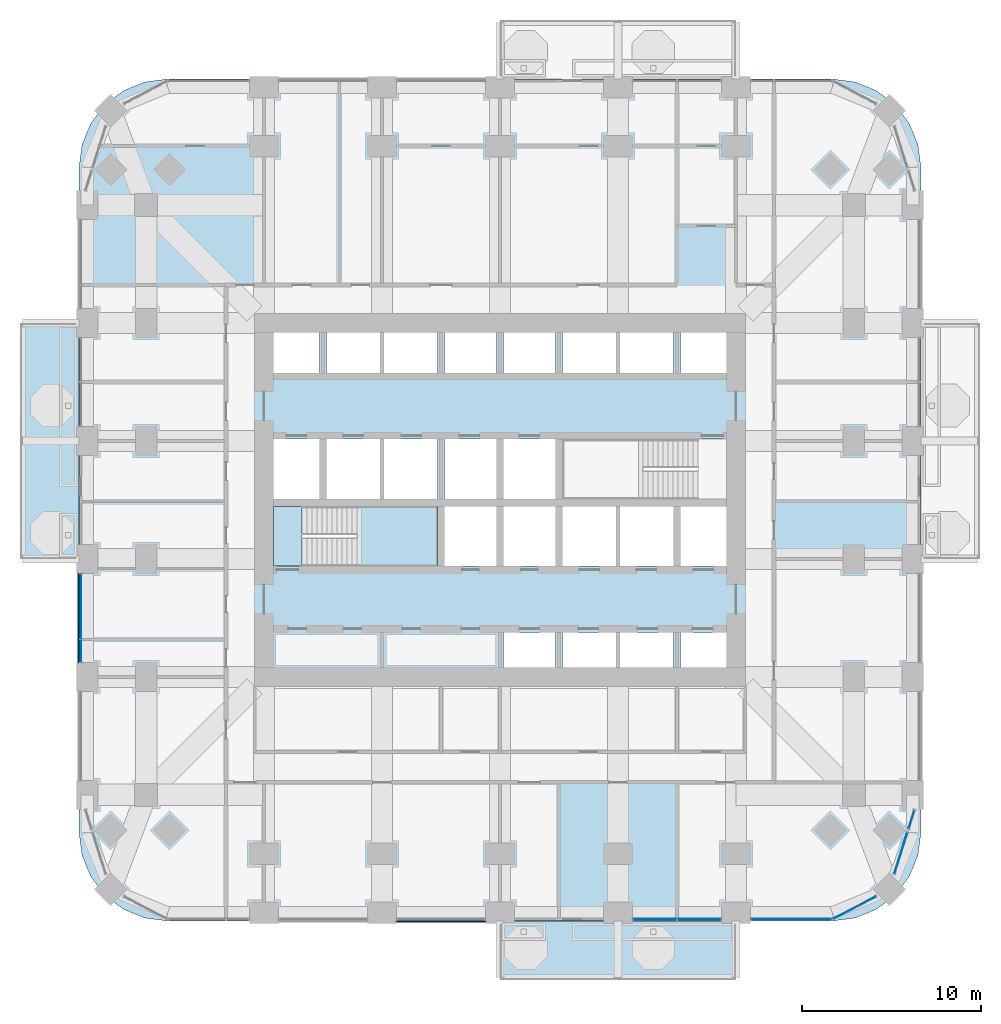
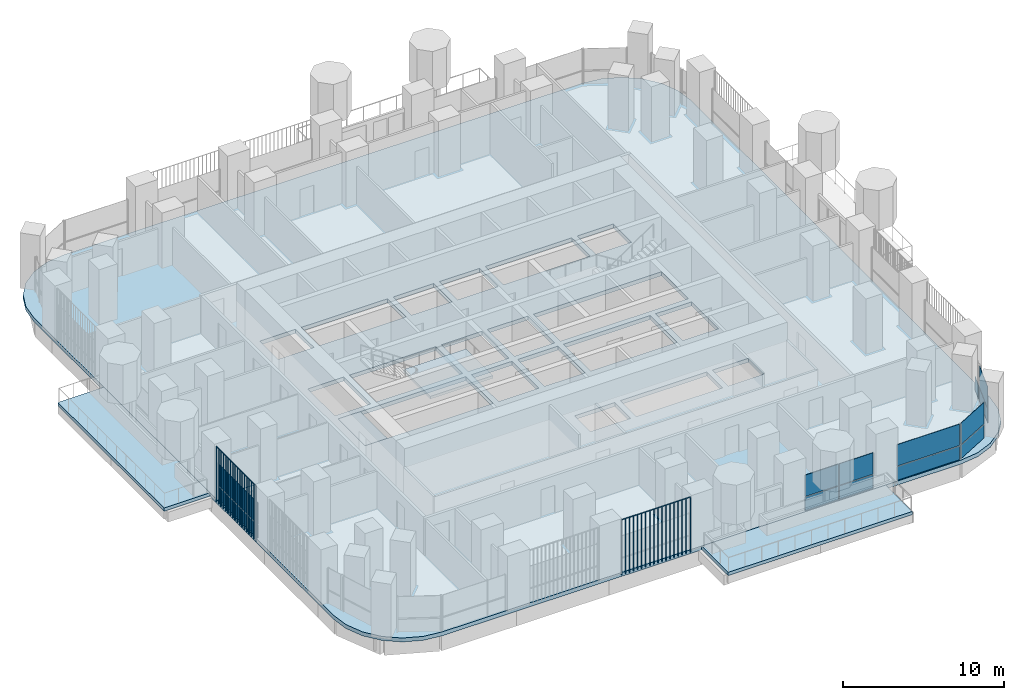
# One storey, part 10 of 23: 17 plates, 5 slabs, 7 elements without a shape of their own.
"""IFC4 building model written with IfcOpenShell, lengths in metres."""

from ifc_helpers import new_model, si_unit, direction, frame, origin, origin_2d, place, context, subcontext, project, spatial, polyline, rectangle, outline, extrude, material, layer, layer_set, type_object, element, aggregate, save


model = new_model("IFC4")

# Units and contexts
model_context = context("Model", 3, precision=1e-05, world=origin(), true_north=direction((0.0, 1.0)))
body_context = subcontext(model_context, "Body", "Model", "MODEL_VIEW")
ifc_project = project(units=[si_unit("LENGTHUNIT", "METRE"), si_unit("AREAUNIT", "SQUARE_METRE"), si_unit("VOLUMEUNIT", "CUBIC_METRE"), si_unit("PLANEANGLEUNIT", "RADIAN"), si_unit("MASSUNIT", "GRAM", prefix="KILO")], contexts=[model_context])

# Site, building, storey
site_placement = place(None, origin())
site = spatial("IfcSite", under=ifc_project, at=site_placement, CompositionType="ELEMENT")
building_placement = place(site_placement, origin())
building = spatial("IfcBuilding", under=site, at=building_placement, Name="Cobogo Forest Laboratory Tower", CompositionType="ELEMENT")
storey_placement = place(building_placement, frame((0.0, 0.0, 103.199951171875)))
storey = spatial("IfcBuildingStorey", under=building, at=storey_placement, Name="L23", CompositionType="ELEMENT", Elevation=103.199951171875)

# Slabs
ifc_material_1 = material(Name="Concrete HA-40 (C40/50)", Category="concrete")
ifc_layer_1 = layer(ifc_material_1, 0.25)
ifc_layer_set_1 = layer_set([ifc_layer_1], Name="Balcony slab 250")
slab_type_1 = type_object("IfcSlabType", Name="Balcony slab 250", PredefinedType="FLOOR", material=ifc_layer_set_1)
slab_1_placement = place(storey_placement, frame((0.0, 0.0, -0.25)))
element("IfcSlab", 1, at=slab_1_placement, inside=storey, type_object=slab_type_1, Name="Balcony BAL-S1 L23", PredefinedType="FLOOR", context=body_context, shape_type="SweptSolid", body=[
    extrude(outline(polyline([(26.39990234375, -3.75), (39.60009765625, -3.75), (39.60009765625, -0.449951171875), (26.39990234375, -0.449951171875), (26.39990234375, -3.75)])), origin(), (0.0, 0.0, 1.0), 0.25),
])
slab_2_placement = place(storey_placement, frame((0.0, 0.0, -0.25)))
element("IfcSlab", 2, at=slab_2_placement, inside=storey, type_object=slab_type_1, Name="Balcony BAL-W1 L23", PredefinedType="FLOOR", context=body_context, shape_type="SweptSolid", body=[
    extrude(outline(polyline([(-0.449951171875, 19.800048828125), (2.85009765625, 19.800048828125), (2.85009765625, 33.0), (-0.449951171875, 33.0), (-0.449951171875, 19.800048828125)])), origin(), (0.0, 0.0, 1.0), 0.25),
])
ifc_layer_2 = layer(ifc_material_1, 0.300048828125)
ifc_layer_set_2 = layer_set([ifc_layer_2], Name="Floor slab 300")
slab_type_2 = type_object("IfcSlabType", Name="Floor slab 300", PredefinedType="FLOOR", material=ifc_layer_set_2)
slab_3_placement = place(storey_placement, frame((0.0, 0.0, -0.300048828125)))
element("IfcSlab", 3, at=slab_3_placement, inside=storey, type_object=slab_type_2, Name="L23 floor slab", PredefinedType="FLOOR", context=body_context, shape_type="SweptSolid", body=[
    extrude(outline(polyline([(45.0, -0.449951171875), (46.28125, -0.28125), (47.47509765625, 0.213134765625), (48.500244140625, 0.999755859375), (49.286865234375, 2.02490234375), (49.78125, 3.21875), (49.949951171875, 4.5), (49.949951171875, 41.699951171875), (49.78125, 42.981201171875), (49.286865234375, 44.175048828125), (48.500244140625, 45.2001953125), (47.47509765625, 45.98681640625), (46.28125, 46.4814453125), (45.0, 46.64990234375), (7.800048828125, 46.64990234375), (6.518798828125, 46.4814453125), (5.324951171875, 45.98681640625), (4.2998046875, 45.2001953125), (3.51318359375, 44.175048828125), (3.0185546875, 42.981201171875), (2.85009765625, 41.699951171875), (2.85009765625, 4.5), (3.0185546875, 3.21875), (3.51318359375, 2.02490234375), (4.2998046875, 0.999755859375), (5.324951171875, 0.213134765625), (6.518798828125, -0.28125), (7.800048828125, -0.449951171875), (45.0, -0.449951171875)]), holes=[polyline([(29.5, 13.72509765625), (26.60009765625, 13.72509765625), (26.60009765625, 15.699951171875), (29.5, 15.699951171875), (29.5, 13.72509765625)]), polyline([(36.10009765625, 15.699951171875), (36.10009765625, 13.72509765625), (29.89990234375, 13.72509765625), (29.89990234375, 15.699951171875), (36.10009765625, 15.699951171875)]), polyline([(36.5, 13.72509765625), (36.5, 15.699951171875), (39.074951171875, 15.699951171875), (39.074951171875, 13.72509765625), (36.5, 13.72509765625)]), polyline([(13.72509765625, 19.39990234375), (13.72509765625, 22.75), (22.89990234375, 22.75), (22.89990234375, 19.39990234375), (13.72509765625, 19.39990234375)]), polyline([(23.300048828125, 19.39990234375), (23.300048828125, 22.75), (26.199951171875, 22.75), (26.199951171875, 19.39990234375), (23.300048828125, 19.39990234375)]), polyline([(29.5, 19.39990234375), (26.60009765625, 19.39990234375), (26.60009765625, 22.75), (29.5, 22.75), (29.5, 19.39990234375)]), polyline([(36.10009765625, 22.75), (36.10009765625, 19.39990234375), (29.89990234375, 19.39990234375), (29.89990234375, 22.75), (36.10009765625, 22.75)]), polyline([(39.074951171875, 19.39990234375), (36.5, 19.39990234375), (36.5, 22.75), (39.074951171875, 22.75), (39.074951171875, 19.39990234375)]), polyline([(16.300048828125, 23.14990234375), (13.72509765625, 23.14990234375), (13.72509765625, 26.5), (16.300048828125, 26.5), (16.300048828125, 23.14990234375)]), polyline([(22.89990234375, 26.5), (22.89990234375, 23.14990234375), (16.699951171875, 23.14990234375), (16.699951171875, 26.5), (22.89990234375, 26.5)]), polyline([(26.199951171875, 23.14990234375), (23.300048828125, 23.14990234375), (23.300048828125, 26.5), (26.199951171875, 26.5), (26.199951171875, 23.14990234375)]), polyline([(26.60009765625, 23.14990234375), (26.60009765625, 26.5), (29.5, 26.5), (29.5, 23.14990234375), (26.60009765625, 23.14990234375)]), polyline([(29.89990234375, 23.14990234375), (29.89990234375, 26.5), (39.074951171875, 26.5), (39.074951171875, 23.14990234375), (29.89990234375, 23.14990234375)]), polyline([(13.72509765625, 30.199951171875), (13.72509765625, 32.47509765625), (16.300048828125, 32.47509765625), (16.300048828125, 30.199951171875), (13.72509765625, 30.199951171875)]), polyline([(22.89990234375, 32.47509765625), (22.89990234375, 30.199951171875), (16.699951171875, 30.199951171875), (16.699951171875, 32.47509765625), (22.89990234375, 32.47509765625)]), polyline([(23.300048828125, 30.199951171875), (23.300048828125, 32.47509765625), (26.199951171875, 32.47509765625), (26.199951171875, 30.199951171875), (23.300048828125, 30.199951171875)]), polyline([(26.60009765625, 30.199951171875), (26.60009765625, 32.47509765625), (29.5, 32.47509765625), (29.5, 30.199951171875), (26.60009765625, 30.199951171875)]), polyline([(36.10009765625, 32.47509765625), (36.10009765625, 30.199951171875), (29.89990234375, 30.199951171875), (29.89990234375, 32.47509765625), (36.10009765625, 32.47509765625)]), polyline([(36.5, 30.199951171875), (36.5, 32.47509765625), (39.074951171875, 32.47509765625), (39.074951171875, 30.199951171875), (36.5, 30.199951171875)])]), origin(), (0.0, 0.0, 1.0), 0.300048828125),
])

# Curtain wall, plates
ifc_material_2 = material(Name="Aluminium curtain wall", Category="aluminium")
curtain_wall_type = type_object("IfcCurtainWallType", Name="CW-1 unitised curtain wall, clear glazing, laboratory floors zones A and B", PredefinedType="USERDEFINED", material=ifc_material_2)
curtain_wall_1_placement = place(storey_placement, origin())
curtain_wall_1 = element("IfcCurtainWall", 4, at=curtain_wall_1_placement, inside=storey, type_object=curtain_wall_type, Name="Curtain wall 05 L23", ObjectType="UNITISED CURTAIN WALL", PredefinedType="USERDEFINED")
ifc_material_3 = material(Name="Clear insulated glass", Category="glass")
ifc_layer_3 = layer(ifc_material_3, 0.028076171875)
ifc_layer_set_3 = layer_set([ifc_layer_3], Name="GP-1 clear insulated glass unit 28")
plate_type_1 = type_object("IfcPlateType", Name="GP-1 clear insulated glass unit 28", PredefinedType="CURTAIN_PANEL", material=ifc_layer_set_3)
plate_1_placement = place(storey_placement, frame((35.06494140625, -0.35009765625, 0.0), z_axis=(0.0, 0.0, 1.0), x_axis=(1.0, 0.0, 0.0)))
plate_1 = element("IfcPlate", 5, at=plate_1_placement, type_object=plate_type_1, Name="CW-1 panel 1.1", PredefinedType="CURTAIN_PANEL", context=body_context, shape_type="SweptSolid", body=[
    extrude(rectangle(XDim=2.409912109375, YDim=0.028076171875, at=origin_2d()), origin(), (0.0, 0.0, 1.0), 1.02001953125),
])
plate_2_placement = place(storey_placement, frame((35.06494140625, -0.35009765625, 1.080078125), z_axis=(0.0, 0.0, 1.0), x_axis=(1.0, 0.0, 0.0)))
plate_2 = element("IfcPlate", 6, at=plate_2_placement, type_object=plate_type_1, Name="CW-1 panel 1.2", PredefinedType="CURTAIN_PANEL", context=body_context, shape_type="SweptSolid", body=[
    extrude(rectangle(XDim=2.409912109375, YDim=0.028076171875, at=origin_2d()), origin(), (0.0, 0.0, 1.0), 1.6201171875),
])
plate_3_placement = place(storey_placement, frame((37.534912109375, -0.35009765625, 0.0), z_axis=(0.0, 0.0, 1.0), x_axis=(1.0, 0.0, 0.0)))
plate_3 = element("IfcPlate", 7, at=plate_3_placement, type_object=plate_type_1, Name="CW-1 panel 2.1", PredefinedType="CURTAIN_PANEL", context=body_context, shape_type="SweptSolid", body=[
    extrude(rectangle(XDim=2.409912109375, YDim=0.028076171875, at=origin_2d()), origin(), (0.0, 0.0, 1.0), 1.02001953125),
])
plate_4_placement = place(storey_placement, frame((37.534912109375, -0.35009765625, 1.080078125), z_axis=(0.0, 0.0, 1.0), x_axis=(1.0, 0.0, 0.0)))
plate_4 = element("IfcPlate", 8, at=plate_4_placement, type_object=plate_type_1, Name="CW-1 panel 2.2", PredefinedType="CURTAIN_PANEL", context=body_context, shape_type="SweptSolid", body=[
    extrude(rectangle(XDim=2.409912109375, YDim=0.028076171875, at=origin_2d()), origin(), (0.0, 0.0, 1.0), 1.6201171875),
])
aggregate(curtain_wall_1, [plate_1, plate_2, plate_3, plate_4])

curtain_wall_2_placement = place(storey_placement, origin())
curtain_wall_2 = element("IfcCurtainWall", 9, at=curtain_wall_2_placement, inside=storey, type_object=curtain_wall_type, Name="Curtain wall 06 L23", ObjectType="UNITISED CURTAIN WALL", PredefinedType="USERDEFINED")
plate_5_placement = place(storey_placement, frame((42.699951171875, -0.35009765625, 0.0), z_axis=(0.0, 0.0, 1.0), x_axis=(1.0, 0.0, 0.0)))
plate_5 = element("IfcPlate", 10, at=plate_5_placement, type_object=plate_type_1, Name="CW-1 panel 1.1", PredefinedType="CURTAIN_PANEL", context=body_context, shape_type="SweptSolid", body=[
    extrude(rectangle(XDim=4.47998046875, YDim=0.028076171875, at=origin_2d()), origin(), (0.0, 0.0, 1.0), 1.02001953125),
])
plate_6_placement = place(storey_placement, frame((42.699951171875, -0.35009765625, 1.080078125), z_axis=(0.0, 0.0, 1.0), x_axis=(1.0, 0.0, 0.0)))
plate_6 = element("IfcPlate", 11, at=plate_6_placement, type_object=plate_type_1, Name="CW-1 panel 1.2", PredefinedType="CURTAIN_PANEL", context=body_context, shape_type="SweptSolid", body=[
    extrude(rectangle(XDim=4.47998046875, YDim=0.028076171875, at=origin_2d()), origin(), (0.0, 0.0, 1.0), 1.6201171875),
])
aggregate(curtain_wall_2, [plate_5, plate_6])

curtain_wall_3_placement = place(storey_placement, origin())
curtain_wall_3 = element("IfcCurtainWall", 12, at=curtain_wall_3_placement, inside=storey, type_object=curtain_wall_type, Name="Curtain wall 07 L23", ObjectType="UNITISED CURTAIN WALL", PredefinedType="USERDEFINED")
plate_7_placement = place(storey_placement, frame((46.229248046875, 0.29443359375, 0.0), z_axis=(0.0, 0.0, 1.0), x_axis=(0.885686547075, 0.464283685186, 0.0)))
plate_7 = element("IfcPlate", 13, at=plate_7_placement, type_object=plate_type_1, Name="CW-1 panel 1.1", PredefinedType="CURTAIN_PANEL", context=body_context, shape_type="SweptSolid", body=[
    extrude(rectangle(XDim=2.655517578125, YDim=0.028076171875, at=origin_2d()), origin(), (0.0, 0.0, 1.0), 1.02001953125),
])
plate_8_placement = place(storey_placement, frame((46.229248046875, 0.29443359375, 1.080078125), z_axis=(0.0, 0.0, 1.0), x_axis=(0.885686547075, 0.464283685186, 0.0)))
plate_8 = element("IfcPlate", 14, at=plate_8_placement, type_object=plate_type_1, Name="CW-1 panel 1.2", PredefinedType="CURTAIN_PANEL", context=body_context, shape_type="SweptSolid", body=[
    extrude(rectangle(XDim=2.655517578125, YDim=0.028076171875, at=origin_2d()), origin(), (0.0, 0.0, 1.0), 1.6201171875),
])
aggregate(curtain_wall_3, [plate_7, plate_8])

curtain_wall_4_placement = place(storey_placement, origin())
curtain_wall_4 = element("IfcCurtainWall", 15, at=curtain_wall_4_placement, inside=storey, type_object=curtain_wall_type, Name="Curtain wall 08 L23", ObjectType="UNITISED CURTAIN WALL", PredefinedType="USERDEFINED")
plate_9_placement = place(storey_placement, frame((48.8212890625, 3.342529296875, 0.0), z_axis=(0.0, 0.0, 1.0), x_axis=(0.301135291996, 0.953581425949, 0.0)))
plate_9 = element("IfcPlate", 16, at=plate_9_placement, type_object=plate_type_1, Name="CW-1 panel 1.1", PredefinedType="CURTAIN_PANEL", context=body_context, shape_type="SweptSolid", body=[
    extrude(rectangle(XDim=2.3681640625, YDim=0.028076171875, at=origin_2d()), origin(), (0.0, 0.0, 1.0), 1.02001953125),
])
plate_10_placement = place(storey_placement, frame((48.8212890625, 3.342529296875, 1.080078125), z_axis=(0.0, 0.0, 1.0), x_axis=(0.301135291996, 0.953581425949, 0.0)))
plate_10 = element("IfcPlate", 17, at=plate_10_placement, type_object=plate_type_1, Name="CW-1 panel 1.2", PredefinedType="CURTAIN_PANEL", context=body_context, shape_type="SweptSolid", body=[
    extrude(rectangle(XDim=2.3681640625, YDim=0.028076171875, at=origin_2d()), origin(), (0.0, 0.0, 1.0), 1.6201171875),
])
aggregate(curtain_wall_4, [plate_9, plate_10])

# Curtain wall, plate
curtain_wall_5_placement = place(storey_placement, origin())
curtain_wall_5 = element("IfcCurtainWall", 18, at=curtain_wall_5_placement, inside=storey, type_object=curtain_wall_type, Name="Curtain wall 09 L23", ObjectType="UNITISED CURTAIN WALL", PredefinedType="USERDEFINED")
plate_11_placement = place(storey_placement, frame((49.41796875, 5.232177734375, 0.0), z_axis=(0.0, 0.0, 1.0), x_axis=(0.301135667865, 0.953581307252, 0.0)))
plate_11 = element("IfcPlate", 19, at=plate_11_placement, type_object=plate_type_1, Name="CW-1 panel 1.1", PredefinedType="CURTAIN_PANEL", context=body_context, shape_type="SweptSolid", body=[
    extrude(rectangle(XDim=1.071044921875, YDim=0.028076171875, at=origin_2d()), origin(), (0.0, 0.0, 1.0), 1.02001953125),
])
aggregate(curtain_wall_5, [plate_11])

# Curtain wall, plates
curtain_wall_6_placement = place(storey_placement, origin())
curtain_wall_6 = element("IfcCurtainWall", 20, at=curtain_wall_6_placement, inside=storey, type_object=curtain_wall_type, Name="Curtain wall 30 L23", ObjectType="UNITISED CURTAIN WALL", PredefinedType="USERDEFINED")
plate_12_placement = place(storey_placement, frame((2.949951171875, 17.135009765625, 0.0), z_axis=(0.0, 0.0, 1.0), x_axis=(0.0, -1.0, 0.0)))
plate_12 = element("IfcPlate", 21, at=plate_12_placement, type_object=plate_type_1, Name="CW-1 panel 1.1", PredefinedType="CURTAIN_PANEL", context=body_context, shape_type="SweptSolid", body=[
    extrude(rectangle(XDim=3.610107421875, YDim=0.028076171875, at=origin_2d()), origin(), (0.0, 0.0, 1.0), 1.02001953125),
])
plate_13_placement = place(storey_placement, frame((2.949951171875, 17.135009765625, 1.080078125), z_axis=(0.0, 0.0, 1.0), x_axis=(0.0, -1.0, 0.0)))
plate_13 = element("IfcPlate", 22, at=plate_13_placement, type_object=plate_type_1, Name="CW-1 panel 1.2", PredefinedType="CURTAIN_PANEL", context=body_context, shape_type="SweptSolid", body=[
    extrude(rectangle(XDim=3.610107421875, YDim=0.028076171875, at=origin_2d()), origin(), (0.0, 0.0, 1.0), 1.6201171875),
])
plate_14_placement = place(storey_placement, frame((2.949951171875, 14.6650390625, 0.0), z_axis=(0.0, 0.0, 1.0), x_axis=(0.0, -1.0, 0.0)))
plate_14 = element("IfcPlate", 23, at=plate_14_placement, type_object=plate_type_1, Name="CW-1 panel 2.1", PredefinedType="CURTAIN_PANEL", context=body_context, shape_type="SweptSolid", body=[
    extrude(rectangle(XDim=1.2099609375, YDim=0.028076171875, at=origin_2d()), origin(), (0.0, 0.0, 1.0), 1.02001953125),
])
plate_15_placement = place(storey_placement, frame((2.949951171875, 14.6650390625, 1.080078125), z_axis=(0.0, 0.0, 1.0), x_axis=(0.0, -1.0, 0.0)))
plate_15 = element("IfcPlate", 24, at=plate_15_placement, type_object=plate_type_1, Name="CW-1 panel 2.2", PredefinedType="CURTAIN_PANEL", context=body_context, shape_type="SweptSolid", body=[
    extrude(rectangle(XDim=1.2099609375, YDim=0.028076171875, at=origin_2d()), origin(), (0.0, 0.0, 1.0), 1.6201171875),
])
aggregate(curtain_wall_6, [plate_12, plate_13, plate_14, plate_15])

# Stair, slabs
ifc_material_4 = material(Name="Precast concrete HA-40 (C40/50)", Category="concrete")
stair_type = type_object("IfcStairType", Name="ST24 exit stair 24 risers", PredefinedType="HALF_TURN_STAIR", material=ifc_material_4)
stair_placement = place(storey_placement, origin())
stair = element("IfcStair", 25, at=stair_placement, inside=storey, type_object=stair_type, Name="Stair 1 L23 to L24", PredefinedType="HALF_TURN_STAIR")
ifc_layer_4 = layer(ifc_material_1, 0.199951171875)
ifc_layer_set_4 = layer_set([ifc_layer_4], Name="SL stair landing 200")
slab_type_3 = type_object("IfcSlabType", Name="SL stair landing 200", PredefinedType="LANDING", material=ifc_layer_set_4)
slab_4_placement = place(storey_placement, frame((0.0, 0.0, -0.199951171875)))
slab_4 = element("IfcSlab", 26, at=slab_4_placement, type_object=slab_type_3, Name="ST1 landing 1", PredefinedType="LANDING", context=body_context, shape_type="SweptSolid", body=[
    extrude(outline(polyline([(13.72509765625, 19.39990234375), (15.326904296875, 19.39990234375), (15.326904296875, 22.75), (13.72509765625, 22.75), (13.72509765625, 19.39990234375)])), origin(), (0.0, 0.0, 1.0), 0.199951171875),
])
slab_5_placement = place(storey_placement, frame((0.0, 0.0, 1.900146484375)))
slab_5 = element("IfcSlab", 27, at=slab_5_placement, type_object=slab_type_3, Name="ST1 landing 2", PredefinedType="LANDING", context=body_context, shape_type="SweptSolid", body=[
    extrude(outline(polyline([(18.403076171875, 19.39990234375), (22.89990234375, 19.39990234375), (22.89990234375, 22.75), (18.403076171875, 22.75), (18.403076171875, 19.39990234375)])), origin(), (0.0, 0.0, 1.0), 0.199951171875),
])
aggregate(stair, [slab_4, slab_5])

# Plates
ifc_material_5 = material(Name="Terracotta", Category="masonry")
plate_type_2 = type_object("IfcPlateType", Name="TB1 terracotta baguette screen", PredefinedType="USERDEFINED", material=ifc_material_5)
plate_16_placement = place(storey_placement, frame((20.63134765625, -0.477783203125, -0.14990234375)))
element("IfcPlate", 28, at=plate_16_placement, inside=storey, type_object=plate_type_2, Name="Baguette screen S2 L23", ObjectType="BAGUETTE SCREEN", PredefinedType="USERDEFINED", context=body_context, shape_type="SweptSolid", body=[
    extrude(outline(polyline([(0.02880859375, 0.011962890625), (0.011962890625, 0.02880859375), (-0.011962890625, 0.02880859375), (-0.02880859375, 0.011962890625), (-0.02880859375, -0.011962890625), (-0.011962890625, -0.02880859375), (0.011962890625, -0.02880859375), (0.02880859375, -0.011962890625), (0.02880859375, 0.011962890625)])), frame((0.0, 0.0, 4.168701171875), z_axis=(1.0, 0.0, 0.0), x_axis=(0.0, 1.0, 0.0)), (0.0, 0.0, 1.0), 4.9375),
    extrude(outline(polyline([(0.02880859375, 0.011962890625), (0.011962890625, 0.02880859375), (-0.011962890625, 0.02880859375), (-0.02880859375, 0.011962890625), (-0.02880859375, -0.011962890625), (-0.011962890625, -0.02880859375), (0.011962890625, -0.02880859375), (0.02880859375, -0.011962890625), (0.02880859375, 0.011962890625)])), origin(), (0.0, 0.0, 1.0), 4.137451171875),
    extrude(outline(polyline([(0.02880859375, 0.011962890625), (0.011962890625, 0.02880859375), (-0.011962890625, 0.02880859375), (-0.02880859375, 0.011962890625), (-0.02880859375, -0.011962890625), (-0.011962890625, -0.02880859375), (0.011962890625, -0.02880859375), (0.02880859375, -0.011962890625), (0.02880859375, 0.011962890625)])), frame((0.29052734375, 0.0, 0.0)), (0.0, 0.0, 1.0), 4.137451171875),
    extrude(outline(polyline([(0.02880859375, 0.011962890625), (0.011962890625, 0.02880859375), (-0.011962890625, 0.02880859375), (-0.02880859375, 0.011962890625), (-0.02880859375, -0.011962890625), (-0.011962890625, -0.02880859375), (0.011962890625, -0.02880859375), (0.02880859375, -0.011962890625), (0.02880859375, 0.011962890625)])), frame((0.580810546875, 0.0, 0.0)), (0.0, 0.0, 1.0), 4.137451171875),
    extrude(outline(polyline([(0.02880859375, 0.011962890625), (0.011962890625, 0.02880859375), (-0.011962890625, 0.02880859375), (-0.02880859375, 0.011962890625), (-0.02880859375, -0.011962890625), (-0.011962890625, -0.02880859375), (0.011962890625, -0.02880859375), (0.02880859375, -0.011962890625), (0.02880859375, 0.011962890625)])), frame((0.871337890625, 0.0, 0.0)), (0.0, 0.0, 1.0), 4.137451171875),
    extrude(outline(polyline([(0.02880859375, 0.011962890625), (0.011962890625, 0.02880859375), (-0.011962890625, 0.02880859375), (-0.02880859375, 0.011962890625), (-0.02880859375, -0.011962890625), (-0.011962890625, -0.02880859375), (0.011962890625, -0.02880859375), (0.02880859375, -0.011962890625), (0.02880859375, 0.011962890625)])), frame((1.161865234375, 0.0, 0.0)), (0.0, 0.0, 1.0), 4.137451171875),
    extrude(outline(polyline([(0.02880859375, 0.011962890625), (0.011962890625, 0.02880859375), (-0.011962890625, 0.02880859375), (-0.02880859375, 0.011962890625), (-0.02880859375, -0.011962890625), (-0.011962890625, -0.02880859375), (0.011962890625, -0.02880859375), (0.02880859375, -0.011962890625), (0.02880859375, 0.011962890625)])), frame((1.4521484375, 0.0, 0.0)), (0.0, 0.0, 1.0), 4.137451171875),
    extrude(outline(polyline([(0.02880859375, 0.011962890625), (0.011962890625, 0.02880859375), (-0.011962890625, 0.02880859375), (-0.02880859375, 0.011962890625), (-0.02880859375, -0.011962890625), (-0.011962890625, -0.02880859375), (0.011962890625, -0.02880859375), (0.02880859375, -0.011962890625), (0.02880859375, 0.011962890625)])), frame((1.74267578125, 0.0, 0.0)), (0.0, 0.0, 1.0), 4.137451171875),
    extrude(outline(polyline([(0.02880859375, 0.011962890625), (0.011962890625, 0.02880859375), (-0.011962890625, 0.02880859375), (-0.02880859375, 0.011962890625), (-0.02880859375, -0.011962890625), (-0.011962890625, -0.02880859375), (0.011962890625, -0.02880859375), (0.02880859375, -0.011962890625), (0.02880859375, 0.011962890625)])), frame((2.033203125, 0.0, 0.0)), (0.0, 0.0, 1.0), 4.137451171875),
    extrude(outline(polyline([(0.02880859375, 0.011962890625), (0.011962890625, 0.02880859375), (-0.011962890625, 0.02880859375), (-0.02880859375, 0.011962890625), (-0.02880859375, -0.011962890625), (-0.011962890625, -0.02880859375), (0.011962890625, -0.02880859375), (0.02880859375, -0.011962890625), (0.02880859375, 0.011962890625)])), frame((2.323486328125, 0.0, 0.0)), (0.0, 0.0, 1.0), 4.137451171875),
    extrude(outline(polyline([(0.02880859375, 0.011962890625), (0.011962890625, 0.02880859375), (-0.011962890625, 0.02880859375), (-0.02880859375, 0.011962890625), (-0.02880859375, -0.011962890625), (-0.011962890625, -0.02880859375), (0.011962890625, -0.02880859375), (0.02880859375, -0.011962890625), (0.02880859375, 0.011962890625)])), frame((2.614013671875, 0.0, 0.0)), (0.0, 0.0, 1.0), 4.137451171875),
    extrude(outline(polyline([(0.02880859375, 0.011962890625), (0.011962890625, 0.02880859375), (-0.011962890625, 0.02880859375), (-0.02880859375, 0.011962890625), (-0.02880859375, -0.011962890625), (-0.011962890625, -0.02880859375), (0.011962890625, -0.02880859375), (0.02880859375, -0.011962890625), (0.02880859375, 0.011962890625)])), frame((2.904296875, 0.0, 0.0)), (0.0, 0.0, 1.0), 4.137451171875),
    extrude(outline(polyline([(0.02880859375, 0.011962890625), (0.011962890625, 0.02880859375), (-0.011962890625, 0.02880859375), (-0.02880859375, 0.011962890625), (-0.02880859375, -0.011962890625), (-0.011962890625, -0.02880859375), (0.011962890625, -0.02880859375), (0.02880859375, -0.011962890625), (0.02880859375, 0.011962890625)])), frame((3.19482421875, 0.0, 0.0)), (0.0, 0.0, 1.0), 4.137451171875),
    extrude(outline(polyline([(0.02880859375, 0.011962890625), (0.011962890625, 0.02880859375), (-0.011962890625, 0.02880859375), (-0.02880859375, 0.011962890625), (-0.02880859375, -0.011962890625), (-0.011962890625, -0.02880859375), (0.011962890625, -0.02880859375), (0.02880859375, -0.011962890625), (0.02880859375, 0.011962890625)])), frame((3.4853515625, 0.0, 0.0)), (0.0, 0.0, 1.0), 4.137451171875),
    extrude(outline(polyline([(0.02880859375, 0.011962890625), (0.011962890625, 0.02880859375), (-0.011962890625, 0.02880859375), (-0.02880859375, 0.011962890625), (-0.02880859375, -0.011962890625), (-0.011962890625, -0.02880859375), (0.011962890625, -0.02880859375), (0.02880859375, -0.011962890625), (0.02880859375, 0.011962890625)])), frame((3.775634765625, 0.0, 0.0)), (0.0, 0.0, 1.0), 4.137451171875),
    extrude(outline(polyline([(0.02880859375, 0.011962890625), (0.011962890625, 0.02880859375), (-0.011962890625, 0.02880859375), (-0.02880859375, 0.011962890625), (-0.02880859375, -0.011962890625), (-0.011962890625, -0.02880859375), (0.011962890625, -0.02880859375), (0.02880859375, -0.011962890625), (0.02880859375, 0.011962890625)])), frame((4.066162109375, 0.0, 0.0)), (0.0, 0.0, 1.0), 4.137451171875),
    extrude(outline(polyline([(0.02880859375, 0.011962890625), (0.011962890625, 0.02880859375), (-0.011962890625, 0.02880859375), (-0.02880859375, 0.011962890625), (-0.02880859375, -0.011962890625), (-0.011962890625, -0.02880859375), (0.011962890625, -0.02880859375), (0.02880859375, -0.011962890625), (0.02880859375, 0.011962890625)])), frame((4.356689453125, 0.0, 0.0)), (0.0, 0.0, 1.0), 4.137451171875),
    extrude(outline(polyline([(0.02880859375, 0.011962890625), (0.011962890625, 0.02880859375), (-0.011962890625, 0.02880859375), (-0.02880859375, 0.011962890625), (-0.02880859375, -0.011962890625), (-0.011962890625, -0.02880859375), (0.011962890625, -0.02880859375), (0.02880859375, -0.011962890625), (0.02880859375, 0.011962890625)])), frame((4.64697265625, 0.0, 0.0)), (0.0, 0.0, 1.0), 4.137451171875),
    extrude(outline(polyline([(0.02880859375, 0.011962890625), (0.011962890625, 0.02880859375), (-0.011962890625, 0.02880859375), (-0.02880859375, 0.011962890625), (-0.02880859375, -0.011962890625), (-0.011962890625, -0.02880859375), (0.011962890625, -0.02880859375), (0.02880859375, -0.011962890625), (0.02880859375, 0.011962890625)])), frame((4.9375, 0.0, 0.0)), (0.0, 0.0, 1.0), 4.137451171875),
])
plate_17_placement = place(storey_placement, frame((2.822021484375, 14.03125, -0.14990234375)))
element("IfcPlate", 29, at=plate_17_placement, inside=storey, type_object=plate_type_2, Name="Baguette screen W2 L23", ObjectType="BAGUETTE SCREEN", PredefinedType="USERDEFINED", context=body_context, shape_type="SweptSolid", body=[
    extrude(outline(polyline([(0.02880859375, 0.011962890625), (0.011962890625, 0.02880859375), (-0.011962890625, 0.02880859375), (-0.02880859375, 0.011962890625), (-0.02880859375, -0.011962890625), (-0.011962890625, -0.02880859375), (0.011962890625, -0.02880859375), (0.02880859375, -0.011962890625), (0.02880859375, 0.011962890625)])), frame((0.0, 0.0, 4.168701171875), z_axis=(0.0, 1.0, 0.0), x_axis=(-1.0, 0.0, 0.0)), (0.0, 0.0, 1.0), 4.9375),
    extrude(outline(polyline([(0.02880859375, 0.011962890625), (0.011962890625, 0.02880859375), (-0.011962890625, 0.02880859375), (-0.02880859375, 0.011962890625), (-0.02880859375, -0.011962890625), (-0.011962890625, -0.02880859375), (0.011962890625, -0.02880859375), (0.02880859375, -0.011962890625), (0.02880859375, 0.011962890625)])), origin(), (0.0, 0.0, 1.0), 4.137451171875),
    extrude(outline(polyline([(0.02880859375, 0.011962890625), (0.011962890625, 0.02880859375), (-0.011962890625, 0.02880859375), (-0.02880859375, 0.011962890625), (-0.02880859375, -0.011962890625), (-0.011962890625, -0.02880859375), (0.011962890625, -0.02880859375), (0.02880859375, -0.011962890625), (0.02880859375, 0.011962890625)])), frame((0.0, 0.29052734375, 0.0)), (0.0, 0.0, 1.0), 4.137451171875),
    extrude(outline(polyline([(0.02880859375, 0.011962890625), (0.011962890625, 0.02880859375), (-0.011962890625, 0.02880859375), (-0.02880859375, 0.011962890625), (-0.02880859375, -0.011962890625), (-0.011962890625, -0.02880859375), (0.011962890625, -0.02880859375), (0.02880859375, -0.011962890625), (0.02880859375, 0.011962890625)])), frame((0.0, 0.580810546875, 0.0)), (0.0, 0.0, 1.0), 4.137451171875),
    extrude(outline(polyline([(0.02880859375, 0.011962890625), (0.011962890625, 0.02880859375), (-0.011962890625, 0.02880859375), (-0.02880859375, 0.011962890625), (-0.02880859375, -0.011962890625), (-0.011962890625, -0.02880859375), (0.011962890625, -0.02880859375), (0.02880859375, -0.011962890625), (0.02880859375, 0.011962890625)])), frame((0.0, 0.871337890625, 0.0)), (0.0, 0.0, 1.0), 4.137451171875),
    extrude(outline(polyline([(0.02880859375, 0.011962890625), (0.011962890625, 0.02880859375), (-0.011962890625, 0.02880859375), (-0.02880859375, 0.011962890625), (-0.02880859375, -0.011962890625), (-0.011962890625, -0.02880859375), (0.011962890625, -0.02880859375), (0.02880859375, -0.011962890625), (0.02880859375, 0.011962890625)])), frame((0.0, 1.161865234375, 0.0)), (0.0, 0.0, 1.0), 4.137451171875),
    extrude(outline(polyline([(0.02880859375, 0.011962890625), (0.011962890625, 0.02880859375), (-0.011962890625, 0.02880859375), (-0.02880859375, 0.011962890625), (-0.02880859375, -0.011962890625), (-0.011962890625, -0.02880859375), (0.011962890625, -0.02880859375), (0.02880859375, -0.011962890625), (0.02880859375, 0.011962890625)])), frame((0.0, 1.4521484375, 0.0)), (0.0, 0.0, 1.0), 4.137451171875),
    extrude(outline(polyline([(0.02880859375, 0.011962890625), (0.011962890625, 0.02880859375), (-0.011962890625, 0.02880859375), (-0.02880859375, 0.011962890625), (-0.02880859375, -0.011962890625), (-0.011962890625, -0.02880859375), (0.011962890625, -0.02880859375), (0.02880859375, -0.011962890625), (0.02880859375, 0.011962890625)])), frame((0.0, 1.74267578125, 0.0)), (0.0, 0.0, 1.0), 4.137451171875),
    extrude(outline(polyline([(0.02880859375, 0.011962890625), (0.011962890625, 0.02880859375), (-0.011962890625, 0.02880859375), (-0.02880859375, 0.011962890625), (-0.02880859375, -0.011962890625), (-0.011962890625, -0.02880859375), (0.011962890625, -0.02880859375), (0.02880859375, -0.011962890625), (0.02880859375, 0.011962890625)])), frame((0.0, 2.033203125, 0.0)), (0.0, 0.0, 1.0), 4.137451171875),
    extrude(outline(polyline([(0.02880859375, 0.011962890625), (0.011962890625, 0.02880859375), (-0.011962890625, 0.02880859375), (-0.02880859375, 0.011962890625), (-0.02880859375, -0.011962890625), (-0.011962890625, -0.02880859375), (0.011962890625, -0.02880859375), (0.02880859375, -0.011962890625), (0.02880859375, 0.011962890625)])), frame((0.0, 2.323486328125, 0.0)), (0.0, 0.0, 1.0), 4.137451171875),
    extrude(outline(polyline([(0.02880859375, 0.011962890625), (0.011962890625, 0.02880859375), (-0.011962890625, 0.02880859375), (-0.02880859375, 0.011962890625), (-0.02880859375, -0.011962890625), (-0.011962890625, -0.02880859375), (0.011962890625, -0.02880859375), (0.02880859375, -0.011962890625), (0.02880859375, 0.011962890625)])), frame((0.0, 2.614013671875, 0.0)), (0.0, 0.0, 1.0), 4.137451171875),
    extrude(outline(polyline([(0.02880859375, 0.011962890625), (0.011962890625, 0.02880859375), (-0.011962890625, 0.02880859375), (-0.02880859375, 0.011962890625), (-0.02880859375, -0.011962890625), (-0.011962890625, -0.02880859375), (0.011962890625, -0.02880859375), (0.02880859375, -0.011962890625), (0.02880859375, 0.011962890625)])), frame((0.0, 2.904296875, 0.0)), (0.0, 0.0, 1.0), 4.137451171875),
    extrude(outline(polyline([(0.02880859375, 0.011962890625), (0.011962890625, 0.02880859375), (-0.011962890625, 0.02880859375), (-0.02880859375, 0.011962890625), (-0.02880859375, -0.011962890625), (-0.011962890625, -0.02880859375), (0.011962890625, -0.02880859375), (0.02880859375, -0.011962890625), (0.02880859375, 0.011962890625)])), frame((0.0, 3.19482421875, 0.0)), (0.0, 0.0, 1.0), 4.137451171875),
    extrude(outline(polyline([(0.02880859375, 0.011962890625), (0.011962890625, 0.02880859375), (-0.011962890625, 0.02880859375), (-0.02880859375, 0.011962890625), (-0.02880859375, -0.011962890625), (-0.011962890625, -0.02880859375), (0.011962890625, -0.02880859375), (0.02880859375, -0.011962890625), (0.02880859375, 0.011962890625)])), frame((0.0, 3.4853515625, 0.0)), (0.0, 0.0, 1.0), 4.137451171875),
    extrude(outline(polyline([(0.02880859375, 0.011962890625), (0.011962890625, 0.02880859375), (-0.011962890625, 0.02880859375), (-0.02880859375, 0.011962890625), (-0.02880859375, -0.011962890625), (-0.011962890625, -0.02880859375), (0.011962890625, -0.02880859375), (0.02880859375, -0.011962890625), (0.02880859375, 0.011962890625)])), frame((0.0, 3.775634765625, 0.0)), (0.0, 0.0, 1.0), 4.137451171875),
    extrude(outline(polyline([(0.02880859375, 0.011962890625), (0.011962890625, 0.02880859375), (-0.011962890625, 0.02880859375), (-0.02880859375, 0.011962890625), (-0.02880859375, -0.011962890625), (-0.011962890625, -0.02880859375), (0.011962890625, -0.02880859375), (0.02880859375, -0.011962890625), (0.02880859375, 0.011962890625)])), frame((0.0, 4.066162109375, 0.0)), (0.0, 0.0, 1.0), 4.137451171875),
    extrude(outline(polyline([(0.02880859375, 0.011962890625), (0.011962890625, 0.02880859375), (-0.011962890625, 0.02880859375), (-0.02880859375, 0.011962890625), (-0.02880859375, -0.011962890625), (-0.011962890625, -0.02880859375), (0.011962890625, -0.02880859375), (0.02880859375, -0.011962890625), (0.02880859375, 0.011962890625)])), frame((0.0, 4.356689453125, 0.0)), (0.0, 0.0, 1.0), 4.137451171875),
    extrude(outline(polyline([(0.02880859375, 0.011962890625), (0.011962890625, 0.02880859375), (-0.011962890625, 0.02880859375), (-0.02880859375, 0.011962890625), (-0.02880859375, -0.011962890625), (-0.011962890625, -0.02880859375), (0.011962890625, -0.02880859375), (0.02880859375, -0.011962890625), (0.02880859375, 0.011962890625)])), frame((0.0, 4.64697265625, 0.0)), (0.0, 0.0, 1.0), 4.137451171875),
    extrude(outline(polyline([(0.02880859375, 0.011962890625), (0.011962890625, 0.02880859375), (-0.011962890625, 0.02880859375), (-0.02880859375, 0.011962890625), (-0.02880859375, -0.011962890625), (-0.011962890625, -0.02880859375), (0.011962890625, -0.02880859375), (0.02880859375, -0.011962890625), (0.02880859375, 0.011962890625)])), frame((0.0, 4.9375, 0.0)), (0.0, 0.0, 1.0), 4.137451171875),
])

save(model, "model.ifc")
